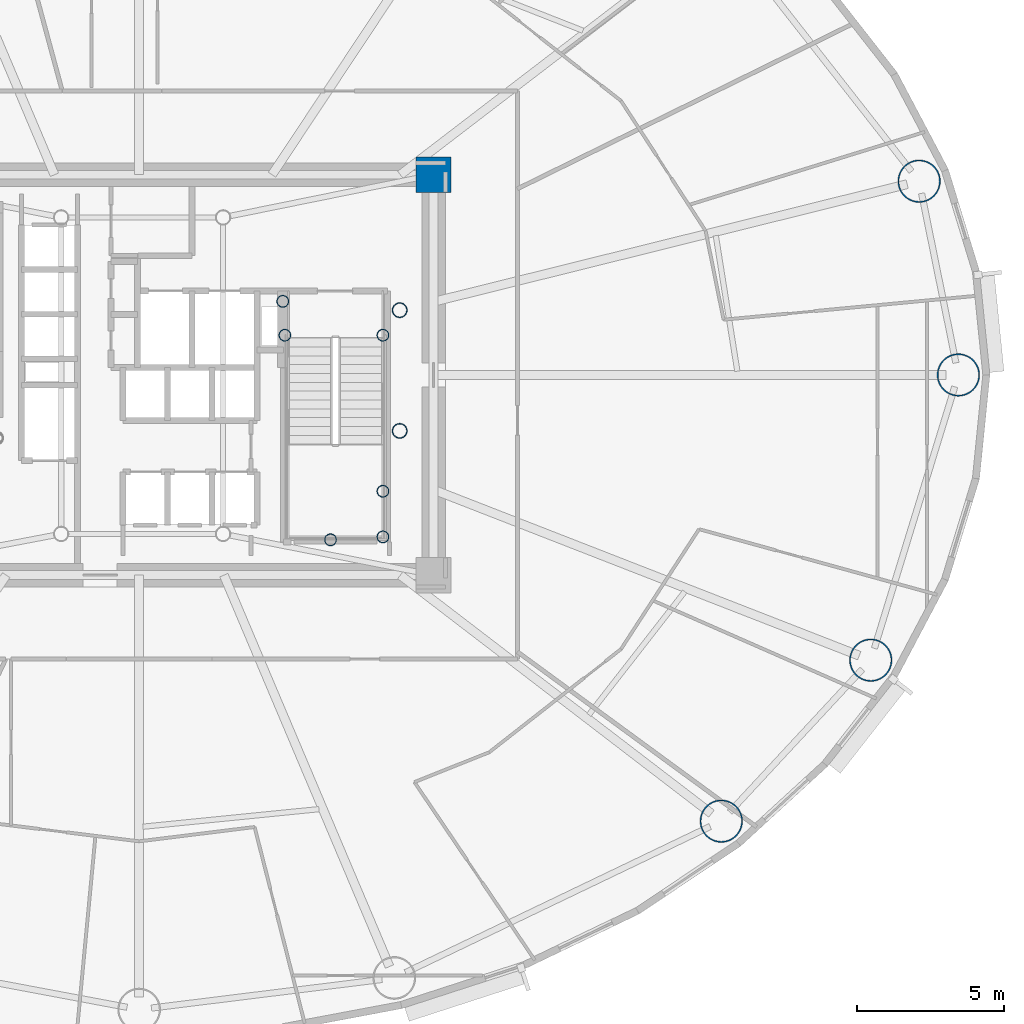
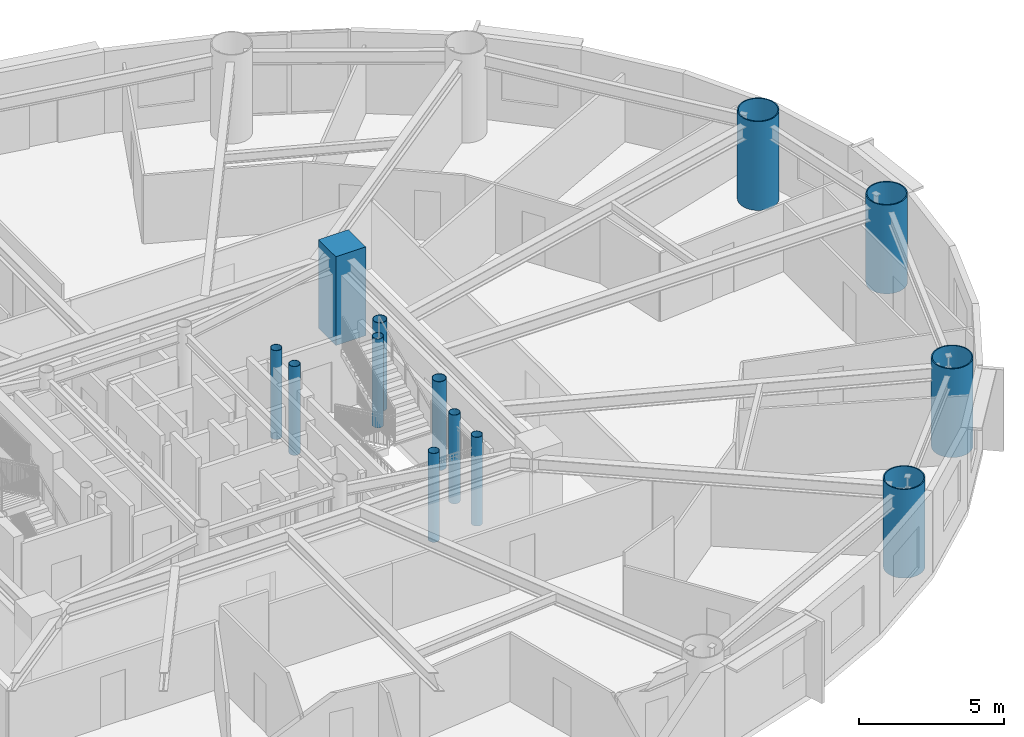
# One storey, part 2 of 17: 13 columns.
"""IFC4 building model written with IfcOpenShell, lengths in metres."""

from ifc_helpers import new_model, si_unit, direction, frame, origin, origin_2d, place, context, subcontext, project, spatial, rectangle, hollow_circle, extrude, material, material_profile, profile_set, type_object, element, save


model = new_model("IFC4")

# Units and contexts
model_context = context("Model", 3, precision=1e-05, world=origin(), true_north=direction((0.0, 1.0)))
body_context = subcontext(model_context, "Body", "Model", "MODEL_VIEW")
ifc_project = project(units=[si_unit("LENGTHUNIT", "METRE"), si_unit("AREAUNIT", "SQUARE_METRE"), si_unit("VOLUMEUNIT", "CUBIC_METRE"), si_unit("PLANEANGLEUNIT", "RADIAN"), si_unit("MASSUNIT", "GRAM", prefix="KILO")], contexts=[model_context])

# Site, building, storey
site_placement = place(None, origin())
site = spatial("IfcSite", under=ifc_project, at=site_placement, CompositionType="ELEMENT")
building_placement = place(site_placement, origin())
building = spatial("IfcBuilding", under=site, at=building_placement, Name="Linh Dai School and Residence Tower", CompositionType="ELEMENT")
storey_placement = place(building_placement, frame((0.0, 0.0, 142.199951171875)))
storey = spatial("IfcBuildingStorey", under=building, at=storey_placement, Name="L34", CompositionType="ELEMENT", Elevation=142.199951171875)

# Columns
ifc_material_1 = material(Name="Concrete B60 (C50/60)", Category="concrete")
ifc_material_profile_1 = material_profile(ifc_material_1, rectangle(XDim=1.199951171875, YDim=1.199951171875, at=origin_2d()), Name="RC 1200x1200")
ifc_profile_set_1 = profile_set([ifc_material_profile_1], Name="Concrete B60 (C50/60)")
column_type_1 = type_object("IfcColumnType", Name="COL-CC2", PredefinedType="COLUMN", material=ifc_profile_set_1)
column_placement = place(storey_placement, frame((46.0, 33.800048828125, 0.0), z_axis=(0.0, 0.0, 1.0), x_axis=(1.0, 0.0, 0.0)))
element("IfcColumn", 1, at=column_placement, inside=storey, type_object=column_type_1, Name="L34 Core Corner Pier CC3", PredefinedType="COLUMN", context=body_context, shape_type="SweptSolid", body=[
    extrude(rectangle(XDim=1.199951171875, YDim=1.199951171875, at=origin_2d()), origin(), (0.0, 0.0, 1.0), 3.75),
])
ifc_material_2 = material(Name="Structural Steel S355JR", Category="steel")
ifc_material_profile_2 = material_profile(ifc_material_2, hollow_circle(Radius=0.203125, WallThickness=0.01611328125, at=origin_2d()), Name="CHS 406.4x16")
ifc_profile_set_2 = profile_set([ifc_material_profile_2], Name="Structural Steel S355JR")
column_type_2 = type_object("IfcColumnType", Name="COL-EC", PredefinedType="COLUMN", material=ifc_profile_set_2)
for number, where, z_axis, x_axis, name in (
    (2, (44.280029296875, 21.5, 0.0), (0.0, 0.0, 1.0), (1.0, 0.0, 0.0), "L34 Stair Shaft Landing Support Pier ST2SE"),
    (3, (44.280029296875, 23.050048828125, 0.0), (0.0, 0.0, 1.0), (1.0, 0.0, 0.0), "L34 Stair Shaft Landing Support Pier ST2NE"),
    (4, (42.5, 21.39990234375, 0.0), (0.0, 0.0, 1.0), (1.0, 0.0, 0.0), "L34 Stair Shaft Landing Support Pier ST2MS"),
    (5, (40.949951171875, 28.35009765625, 0.0), (0.0, 0.0, 1.0), (1.0, 0.0, 0.0), "L34 Stair Shaft Landing Support Pier ST2N1"),
    (6, (44.280029296875, 28.35009765625, 0.0), (0.0, 0.0, 1.0), (1.0, 0.0, 0.0), "L34 Stair Shaft Landing Support Pier ST2N2"),
    (7, (40.8798828125, 29.5, 0.0), (0.0, 0.0, 1.0), (1.0, 0.0, 0.0), "L34 Stair Shaft Landing Support Pier ST2N3"),
):
    element("IfcColumn", number, at=place(storey_placement, frame(where, z_axis=z_axis, x_axis=x_axis)), inside=storey, type_object=column_type_2, Name=name, PredefinedType="COLUMN", context=body_context, shape_type="SweptSolid", body=[
        extrude(hollow_circle(Radius=0.203125, WallThickness=0.01611328125, at=origin_2d()), origin(), (0.0, 0.0, 1.0), 3.75),
    ])
ifc_material_profile_3 = material_profile(ifc_material_2, hollow_circle(Radius=0.72509765625, WallThickness=0.0419921875, at=origin_2d()), Name="CHS 1450x42")
ifc_profile_set_3 = profile_set([ifc_material_profile_3], Name="Structural Steel S355JR")
column_type_3 = type_object("IfcColumnType", Name="COL-MC3", PredefinedType="COLUMN", material=ifc_profile_set_3)
for number, where, z_axis, x_axis, name in (
    (8, (63.824951171875, 27.0, 0.0), (0.0, 0.0, 1.0), (1.0, 0.0, 0.0), "L34 Perimeter CFT Mega-Column MC01"),
    (9, (62.49267578125, 33.5810546875, 0.0), (0.0, 0.0, 1.0), (1.0, 0.0, 0.0), "L34 Perimeter CFT Mega-Column MC02"),
    (10, (55.772705078125, 11.844482421875, 0.0), (0.0, 0.0, 1.0), (1.0, 0.0, 0.0), "L34 Perimeter CFT Mega-Column MC15"),
    (11, (60.84912109375, 17.3125, 0.0), (0.0, 0.0, 1.0), (1.0, 0.0, 0.0), "L34 Perimeter CFT Mega-Column MC16"),
):
    element("IfcColumn", number, at=place(storey_placement, frame(where, z_axis=z_axis, x_axis=x_axis)), inside=storey, type_object=column_type_3, Name=name, PredefinedType="COLUMN", context=body_context, shape_type="SweptSolid", body=[
        extrude(hollow_circle(Radius=0.72509765625, WallThickness=0.0419921875, at=origin_2d()), origin(), (0.0, 0.0, 1.0), 3.75),
    ])
ifc_material_profile_4 = material_profile(ifc_material_2, hollow_circle(Radius=0.25390625, WallThickness=0.02001953125, at=origin_2d()), Name="CHS 508x20")
ifc_profile_set_4 = profile_set([ifc_material_profile_4], Name="Structural Steel S355JR")
column_type_4 = type_object("IfcColumnType", Name="COL-MCP", PredefinedType="COLUMN", material=ifc_profile_set_4)
for number, where, z_axis, x_axis, name in (
    (12, (44.85009765625, 25.10009765625, 0.0), (0.0, 0.0, 1.0), (1.0, 0.0, 0.0), "L34 Sky-Lounge Core Anchor Pier S"),
    (13, (44.85009765625, 29.199951171875, 0.0), (0.0, 0.0, 1.0), (1.0, 0.0, 0.0), "L34 Sky-Lounge Core Anchor Pier N"),
):
    element("IfcColumn", number, at=place(storey_placement, frame(where, z_axis=z_axis, x_axis=x_axis)), inside=storey, type_object=column_type_4, Name=name, PredefinedType="COLUMN", context=body_context, shape_type="SweptSolid", body=[
        extrude(hollow_circle(Radius=0.25390625, WallThickness=0.02001953125, at=origin_2d()), origin(), (0.0, 0.0, 1.0), 3.75),
    ])

save(model, "model.ifc")
